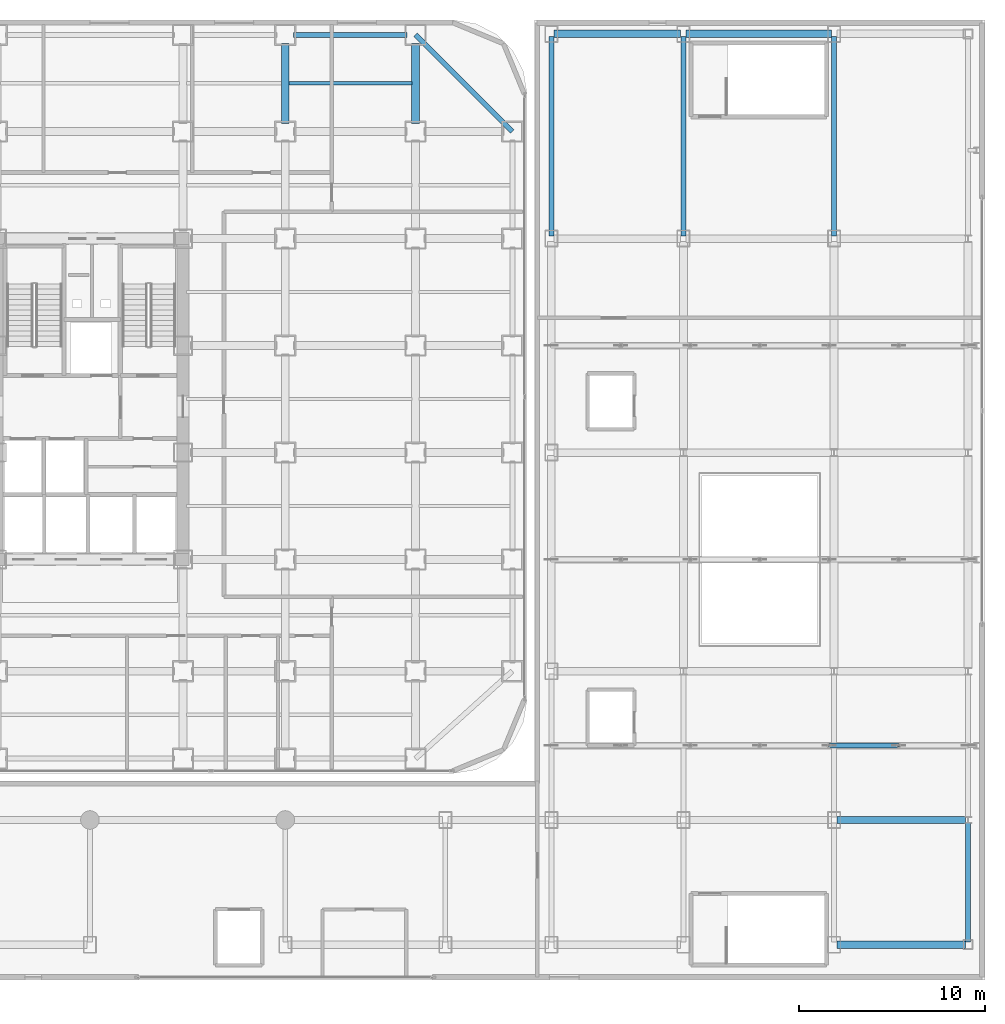
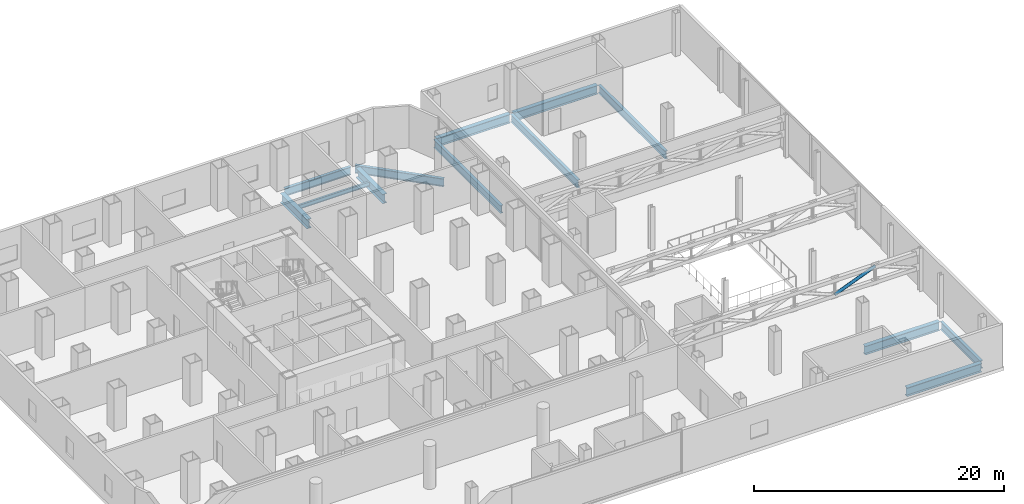
# One storey, part 17 of 28: 13 beams, 1 member.
"""IFC4 building model written with IfcOpenShell, lengths in metres."""

from ifc_helpers import new_model, si_unit, direction, frame, origin, origin_2d, place, context, subcontext, project, spatial, hollow_circle, i_section, extrude, source, transform, mapped, material, material_profile, profile_set, type_object, element, save


model = new_model("IFC4")

# Units and contexts
model_context = context("Model", 3, precision=1e-05, world=origin(), true_north=direction((0.0, 1.0)))
body_context = subcontext(model_context, "Body", "Model", "MODEL_VIEW")
ifc_project = project(units=[si_unit("LENGTHUNIT", "METRE"), si_unit("AREAUNIT", "SQUARE_METRE"), si_unit("VOLUMEUNIT", "CUBIC_METRE"), si_unit("PLANEANGLEUNIT", "RADIAN"), si_unit("MASSUNIT", "GRAM", prefix="KILO")], contexts=[model_context])

# Site, building, storey
site_placement = place(None, origin())
site = spatial("IfcSite", under=ifc_project, at=site_placement, CompositionType="ELEMENT")
building_placement = place(site_placement, origin())
building = spatial("IfcBuilding", under=site, at=building_placement, Name="Kolveth Station Tower", CompositionType="ELEMENT")
storey_placement = place(building_placement, frame((0.0, 0.0, 18.0)))
storey = spatial("IfcBuildingStorey", under=building, at=storey_placement, Name="L04", CompositionType="ELEMENT", Elevation=18.0)

# Beams
ifc_material = material(Name="Steel S355", Category="steel")
ifc_material_profile_1 = material_profile(ifc_material, i_section(OverallWidth=0.26904296875, OverallDepth=0.77490234375, WebThickness=0.01708984375, FlangeThickness=0.0283203125, at=origin_2d()), Name="W760x220")
ifc_profile_set_1 = profile_set([ifc_material_profile_1], Name="Steel S355")
beam_type_1 = type_object("IfcBeamType", Name="Beam_SP1", PredefinedType="SPANDREL", material=ifc_profile_set_1)
shared_shape_1 = source(origin(), body_context, "Body", "SweptSolid", [
    extrude(i_section(OverallWidth=0.26904296875, OverallDepth=0.77490234375, WebThickness=0.01708984375, FlangeThickness=0.0283203125, at=origin_2d()), origin(), (0.0, 0.0, 1.0), 6.10009765625),
])
beam_1_placement = place(storey_placement, frame((34.449951171875, 39.699951171875, -0.70751953125), z_axis=(1.0, 0.0, 0.0), x_axis=(0.0, 1.0, 0.0)))
element("IfcBeam", 1, at=beam_1_placement, inside=storey, type_object=beam_type_1, Name="L04 Perimeter Spandrel BM-L04-PN-5", PredefinedType="SPANDREL", context=body_context, shape_type="MappedRepresentation", body=[
    mapped(shared_shape_1, transform((0.0, 0.0, 0.0), x_axis=(1.0, 0.0, 0.0), y_axis=(0.0, 1.0, 0.0), z_axis=(0.0, 0.0, 1.0), scale=1.0)),
])
shared_shape_2 = source(origin(), body_context, "Body", "SweptSolid", [
    extrude(i_section(OverallWidth=0.26904296875, OverallDepth=0.77490234375, WebThickness=0.01708984375, FlangeThickness=0.0283203125, at=origin_2d()), origin(), (0.0, 0.0, 1.0), 7.353759765625),
])
beam_2_placement = place(storey_placement, frame((46.199951171875, 34.5, -0.70751953125), z_axis=(-0.707106781187, 0.707106781187, 0.0), x_axis=(-0.707106781187, -0.707106781187, 0.0)))
element("IfcBeam", 2, at=beam_2_placement, inside=storey, type_object=beam_type_1, Name="L04 Corner Edge Girder BM-L04-CNR-NE", PredefinedType="SPANDREL", context=body_context, shape_type="MappedRepresentation", body=[
    mapped(shared_shape_2, transform((0.0, 0.0, 0.0), x_axis=(1.0, 0.0, 0.0), y_axis=(0.0, 1.0, 0.0), z_axis=(0.0, 0.0, 1.0), scale=1.0)),
])
ifc_material_profile_2 = material_profile(ifc_material, i_section(OverallWidth=0.41796875, OverallDepth=0.912109375, WebThickness=0.019287109375, FlangeThickness=0.031982421875, at=origin_2d()), Name="W920x342")
ifc_profile_set_2 = profile_set([ifc_material_profile_2], Name="Steel S355")
beam_type_2 = type_object("IfcBeamType", Name="Beam_B1", PredefinedType="BEAM", material=ifc_profile_set_2)
shared_shape_3 = source(origin(), body_context, "Body", "SweptSolid", [
    extrude(i_section(OverallWidth=0.41796875, OverallDepth=0.912109375, WebThickness=0.019287109375, FlangeThickness=0.031982421875, at=origin_2d()), origin(), (0.0, 0.0, 1.0), 4.300048828125),
])
for number, where, z_axis, x_axis, name in (
    (3, (34.0, 34.949951171875, -0.77587890625), (0.0, 1.0, 0.0), (-1.0, 0.0, 0.0), "L04 Primary Girder BM-L04-GX340-7"),
    (4, (41.0, 34.949951171875, -0.77587890625), (0.0, 1.0, 0.0), (-1.0, 0.0, 0.0), "L04 Primary Girder BM-L04-GX410-7"),
):
    element("IfcBeam", number, at=place(storey_placement, frame(where, z_axis=z_axis, x_axis=x_axis)), inside=storey, type_object=beam_type_2, Name=name, PredefinedType="BEAM", context=body_context, shape_type="MappedRepresentation", body=[
        mapped(shared_shape_3, transform((0.0, 0.0, 0.0), x_axis=(1.0, 0.0, 0.0), y_axis=(0.0, 1.0, 0.0), z_axis=(0.0, 0.0, 1.0), scale=1.0)),
    ])
ifc_material_profile_3 = material_profile(ifc_material, i_section(OverallWidth=0.177978515625, OverallDepth=0.406982421875, WebThickness=0.0078125, FlangeThickness=0.0126953125, at=origin_2d()), Name="W410x60")
ifc_profile_set_3 = profile_set([ifc_material_profile_3], Name="Steel S355")
beam_type_3 = type_object("IfcBeamType", Name="Beam_J1", PredefinedType="JOIST", material=ifc_profile_set_3)
shared_shape_4 = source(origin(), body_context, "Body", "SweptSolid", [
    extrude(i_section(OverallWidth=0.177978515625, OverallDepth=0.406982421875, WebThickness=0.0078125, FlangeThickness=0.0126953125, at=origin_2d()), origin(), (0.0, 0.0, 1.0), 6.60986328125),
])
beam_3_placement = place(storey_placement, frame((34.195068359375, 37.10009765625, -0.5234375), z_axis=(1.0, 0.0, 0.0), x_axis=(0.0, 1.0, 0.0)))
element("IfcBeam", 5, at=beam_3_placement, inside=storey, type_object=beam_type_3, Name="L04 Secondary Joist JST-L04-6-7", PredefinedType="JOIST", context=body_context, shape_type="MappedRepresentation", body=[
    mapped(shared_shape_4, transform((0.0, 0.0, 0.0), x_axis=(1.0, 0.0, 0.0), y_axis=(0.0, 1.0, 0.0), z_axis=(0.0, 0.0, 1.0), scale=1.0)),
])
ifc_material_profile_4 = material_profile(ifc_material, i_section(OverallWidth=0.40087890625, OverallDepth=0.85107421875, WebThickness=0.01611328125, FlangeThickness=0.025390625, at=origin_2d()), Name="W840x226")
ifc_profile_set_4 = profile_set([ifc_material_profile_4], Name="Steel S355")
beam_type_4 = type_object("IfcBeamType", Name="Beam_B2", PredefinedType="BEAM", material=ifc_profile_set_4)
shared_shape_5 = source(origin(), body_context, "Body", "SweptSolid", [
    extrude(i_section(OverallWidth=0.40087890625, OverallDepth=0.85107421875, WebThickness=0.01611328125, FlangeThickness=0.025390625, at=origin_2d()), origin(), (0.0, 0.0, 1.0), 6.800048828125),
])
beam_4_placement = place(storey_placement, frame((48.449951171875, 39.75, -0.74560546875), z_axis=(1.0, 0.0, 0.0), x_axis=(0.0, 1.0, 0.0)))
element("IfcBeam", 6, at=beam_4_placement, inside=storey, type_object=beam_type_4, Name="L04 Station Portal Girder SBM-L04-EW-6-1", PredefinedType="BEAM", context=body_context, shape_type="MappedRepresentation", body=[
    mapped(shared_shape_5, transform((0.0, 0.0, 0.0), x_axis=(1.0, 0.0, 0.0), y_axis=(0.0, 1.0, 0.0), z_axis=(0.0, 0.0, 1.0), scale=1.0)),
])
shared_shape_6 = source(origin(), body_context, "Body", "SweptSolid", [
    extrude(i_section(OverallWidth=0.40087890625, OverallDepth=0.85107421875, WebThickness=0.01611328125, FlangeThickness=0.025390625, at=origin_2d()), origin(), (0.0, 0.0, 1.0), 6.900146484375),
])
for number, where, z_axis, x_axis, name in (
    (7, (63.64990234375, -9.199951171875, -0.74560546875), (1.0, 0.0, 0.0), (0.0, 1.0, 0.0), "L04 Station Portal Girder SBM-L04-EW-1-3"),
    (8, (63.64990234375, -2.5, -0.74560546875), (1.0, 0.0, 0.0), (0.0, 1.0, 0.0), "L04 Station Portal Girder SBM-L04-EW-2-3"),
):
    element("IfcBeam", number, at=place(storey_placement, frame(where, z_axis=z_axis, x_axis=x_axis)), inside=storey, type_object=beam_type_4, Name=name, PredefinedType="BEAM", context=body_context, shape_type="MappedRepresentation", body=[
        mapped(shared_shape_6, transform((0.0, 0.0, 0.0), x_axis=(1.0, 0.0, 0.0), y_axis=(0.0, 1.0, 0.0), z_axis=(0.0, 0.0, 1.0), scale=1.0)),
    ])
shared_shape_7 = source(origin(), body_context, "Body", "SweptSolid", [
    extrude(i_section(OverallWidth=0.40087890625, OverallDepth=0.85107421875, WebThickness=0.01611328125, FlangeThickness=0.025390625, at=origin_2d()), origin(), (0.0, 0.0, 1.0), 7.800048828125),
])
beam_5_placement = place(storey_placement, frame((55.550048828125, 39.75, -0.74560546875), z_axis=(1.0, 0.0, 0.0), x_axis=(0.0, 1.0, 0.0)))
element("IfcBeam", 9, at=beam_5_placement, inside=storey, type_object=beam_type_4, Name="L04 Station Portal Girder SBM-L04-EW-6-2", PredefinedType="BEAM", context=body_context, shape_type="MappedRepresentation", body=[
    mapped(shared_shape_7, transform((0.0, 0.0, 0.0), x_axis=(1.0, 0.0, 0.0), y_axis=(0.0, 1.0, 0.0), z_axis=(0.0, 0.0, 1.0), scale=1.0)),
])
ifc_material_profile_5 = material_profile(ifc_material, i_section(OverallWidth=0.26708984375, OverallDepth=0.76611328125, WebThickness=0.014892578125, FlangeThickness=0.023681640625, at=origin_2d()), Name="W760x185")
ifc_profile_set_5 = profile_set([ifc_material_profile_5], Name="Steel S355")
beam_type_5 = type_object("IfcBeamType", Name="Beam_B3", PredefinedType="BEAM", material=ifc_profile_set_5)
shared_shape_8 = source(origin(), body_context, "Body", "SweptSolid", [
    extrude(i_section(OverallWidth=0.26708984375, OverallDepth=0.76611328125, WebThickness=0.014892578125, FlangeThickness=0.023681640625, at=origin_2d()), origin(), (0.0, 0.0, 1.0), 6.400146484375),
])
beam_6_placement = place(storey_placement, frame((70.699951171875, -9.050048828125, -0.702880859375), z_axis=(0.0, 1.0, 0.0), x_axis=(-1.0, 0.0, 0.0)))
element("IfcBeam", 10, at=beam_6_placement, inside=storey, type_object=beam_type_5, Name="L04 Station Spine Girder SBM-L04-NS-4-1", PredefinedType="BEAM", context=body_context, shape_type="MappedRepresentation", body=[
    mapped(shared_shape_8, transform((0.0, 0.0, 0.0), x_axis=(1.0, 0.0, 0.0), y_axis=(0.0, 1.0, 0.0), z_axis=(0.0, 0.0, 1.0), scale=1.0)),
])
shared_shape_9 = source(origin(), body_context, "Body", "SweptSolid", [
    extrude(i_section(OverallWidth=0.26708984375, OverallDepth=0.76611328125, WebThickness=0.014892578125, FlangeThickness=0.023681640625, at=origin_2d()), origin(), (0.0, 0.0, 1.0), 10.7001953125),
])
for number, where, z_axis, x_axis, name in (
    (11, (48.300048828125, 28.89990234375, -0.702880859375), (0.0, 1.0, 0.0), (-1.0, 0.0, 0.0), "L04 Station Spine Girder SBM-L04-NS-1-5"),
    (12, (55.39990234375, 28.89990234375, -0.702880859375), (0.0, 1.0, 0.0), (-1.0, 0.0, 0.0), "L04 Station Spine Girder SBM-L04-NS-2-5"),
    (13, (63.5, 28.89990234375, -0.702880859375), (0.0, 1.0, 0.0), (-1.0, 0.0, 0.0), "L04 Station Spine Girder SBM-L04-NS-3-5"),
):
    element("IfcBeam", number, at=place(storey_placement, frame(where, z_axis=z_axis, x_axis=x_axis)), inside=storey, type_object=beam_type_5, Name=name, PredefinedType="BEAM", context=body_context, shape_type="MappedRepresentation", body=[
        mapped(shared_shape_9, transform((0.0, 0.0, 0.0), x_axis=(1.0, 0.0, 0.0), y_axis=(0.0, 1.0, 0.0), z_axis=(0.0, 0.0, 1.0), scale=1.0)),
    ])

# Member
ifc_material_profile_6 = material_profile(ifc_material, hollow_circle(Radius=0.136474609375, WallThickness=0.012451171875, at=origin_2d()), Name="CHS273x12.5")
ifc_profile_set_6 = profile_set([ifc_material_profile_6], Name="Steel S355")
member_type = type_object("IfcMemberType", Name="Mem_BR5", PredefinedType="BRACE", material=ifc_profile_set_6)
shared_shape_10 = source(origin(), body_context, "Body", "SweptSolid", [
    extrude(hollow_circle(Radius=0.136474609375, WallThickness=0.012451171875, at=origin_2d()), origin(), (0.0, 0.0, 1.0), 4.023193359375),
])
member_placement = place(storey_placement, frame((63.2333984375, 1.5, 2.35009765625), z_axis=(0.927898037071, 0.0, 0.372834055311), x_axis=(0.0, 1.0, 0.0)))
element("IfcMember", 14, at=member_placement, inside=storey, type_object=member_type, Name="Station Roof Truss 1 Diagonal 5", PredefinedType="BRACE", context=body_context, shape_type="MappedRepresentation", body=[
    mapped(shared_shape_10, transform((0.0, 0.0, 0.0), x_axis=(1.0, 0.0, 0.0), y_axis=(0.0, 1.0, 0.0), z_axis=(0.0, 0.0, 1.0), scale=1.0)),
])

save(model, "model.ifc")
